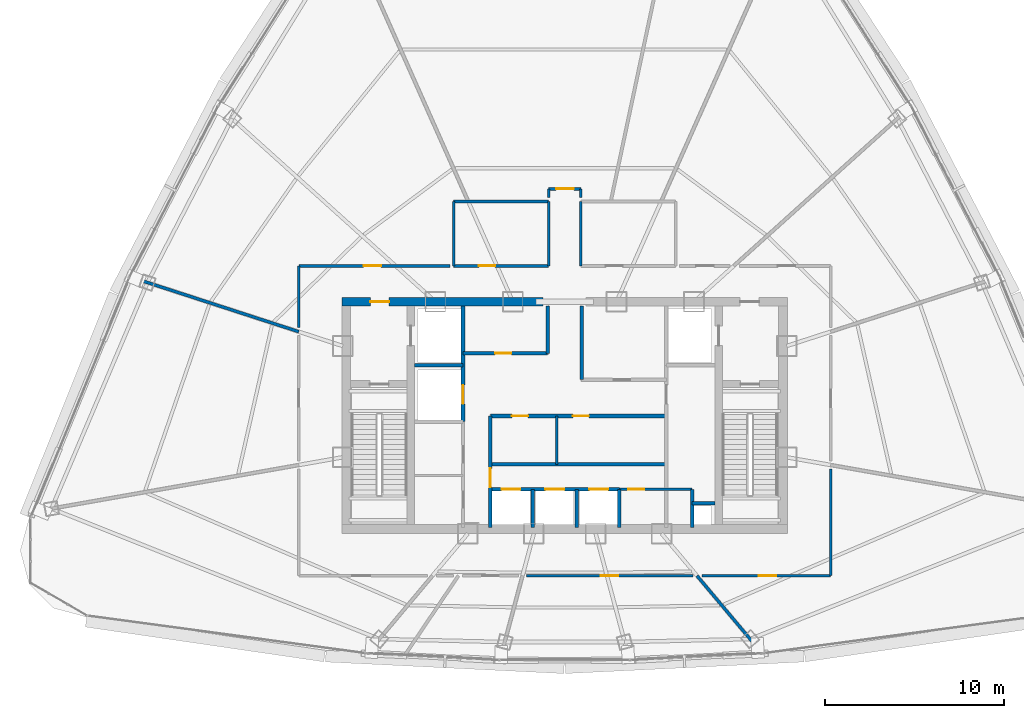
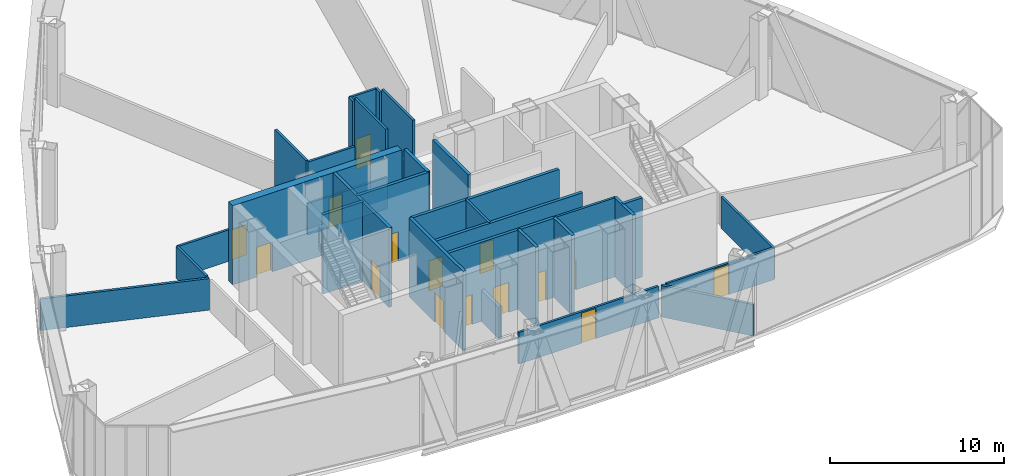
# One storey, part 29 of 33: 32 walls, 15 doors, 15 openings.
"""IFC4 building model written with IfcOpenShell, lengths in metres."""

from ifc_helpers import new_model, si_unit, direction, frame, frame_2d, origin, origin_with_axes, place, context, subcontext, project, spatial, rectangle, extrude, source, transform, mapped, material, layer, layer_set, type_object, element, fill, save


model = new_model("IFC4")

# Units and contexts
model_context = context("Model", 3, precision=1e-05, world=origin(), true_north=direction((0.0, 1.0)))
body_context = subcontext(model_context, "Body", "Model", "MODEL_VIEW")
ifc_project = project(units=[si_unit("LENGTHUNIT", "METRE"), si_unit("AREAUNIT", "SQUARE_METRE"), si_unit("VOLUMEUNIT", "CUBIC_METRE"), si_unit("PLANEANGLEUNIT", "RADIAN"), si_unit("MASSUNIT", "GRAM", prefix="KILO"), si_unit("THERMODYNAMICTEMPERATUREUNIT", "KELVIN"), si_unit("POWERUNIT", "WATT")], contexts=[model_context])

# Site, building, storey
site_placement = place(None, origin())
site = spatial("IfcSite", under=ifc_project, at=site_placement, CompositionType="ELEMENT")
building_placement = place(site_placement, origin())
building = spatial("IfcBuilding", under=site, at=building_placement, Name="Yunzhuo Pagoda Commons", CompositionType="ELEMENT")
storey_placement = place(building_placement, frame((0.0, 0.0, 314.860107421875)))
storey = spatial("IfcBuildingStorey", under=building, at=storey_placement, Name="L79", CompositionType="ELEMENT", Elevation=314.860107421875)

# Wall, opening, door
ifc_material_1 = material(Name="Concrete C50", Category="concrete")
ifc_layer_1 = layer(ifc_material_1, 0.5)
ifc_layer_set_1 = layer_set([ifc_layer_1], Name="Concrete C50")
wall_type_1 = type_object("IfcWallType", Name="W-C03 Upper Core Shear Wall 500", PredefinedType="SHEAR", material=ifc_layer_set_1)
wall_1_placement = place(storey_placement, frame((35.550048828125, 40.199951171875, 0.0), z_axis=(0.0, 0.0, 1.0), x_axis=(1.0, 0.0, 0.0)))
wall_1 = element("IfcWall", 1, at=wall_1_placement, inside=storey, type_object=wall_type_1, Name="L79 core shear wall NW", PredefinedType="SHEAR", context=body_context, shape_type="SweptSolid", body=[
    extrude(rectangle(XDim=11.25, YDim=0.5, at=frame_2d((5.625, 0.0))), origin(), (0.0, 0.0, 1.0), 5.56982421875),
])
opening_1_placement = place(wall_1_placement, frame((1.60009765625, 0.0, 0.0)))
opening_1 = element("IfcOpeningElement", 2, at=opening_1_placement, cuts=wall_1, Name="Opening D-02", PredefinedType="OPENING", context=body_context, shape_type="SweptSolid", body=[
    extrude(rectangle(XDim=1.050048828125, YDim=2.10009765625, at=frame_2d((0.52490234375, 1.050048828125))), frame((0.0, 0.260009765625, 0.0), z_axis=(0.0, -1.0, 0.0), x_axis=(1.0, 0.0, 0.0)), (0.0, 0.0, 1.0), 0.52001953125),
])
ifc_material_2 = material(Name="Galvanized fire-resisting metal leaf")
door_type_1 = type_object("IfcDoorType", Name="D-02 Firefighting Lobby & Refuge Fire Door 1050x2100", OperationType="NOTDEFINED", PredefinedType="DOOR", material=ifc_material_2)
shared_shape_1 = source(origin(), body_context, "Body", "SweptSolid", [
    extrude(rectangle(XDim=1.050048828125, YDim=2.10009765625, at=frame_2d((0.52490234375, 1.050048828125))), frame((0.0, 0.02490234375, 0.0), z_axis=(0.0, -1.0, 0.0), x_axis=(1.0, 0.0, 0.0)), (0.0, 0.0, 1.0), 0.050048828125),
])
door_1_placement = place(opening_1_placement, frame((1.050048828125, 0.0, 0.0), z_axis=(0.0, 0.0, 1.0), x_axis=(-1.0, 0.0, 0.0)))
door_1 = element("IfcDoor", 3, at=door_1_placement, inside=storey, type_object=door_type_1, Name="L79 Firefighting Lobby 1 fire door", OperationType="SINGLE_SWING_LEFT", OverallHeight=2.10009765625, OverallWidth=1.050048828125, PredefinedType="DOOR", context=body_context, shape_type="MappedRepresentation", body=[
    mapped(shared_shape_1, transform((0.0, 0.0, 0.0), scale=1.0)),
])
fill(opening_1, door_1)

# Wall
ifc_material_3 = material(Name="Gypsum plasterboard on acoustic stud")
ifc_layer_2 = layer(ifc_material_3, 0.14990234375)
ifc_layer_set_2 = layer_set([ifc_layer_2], Name="Gypsum plasterboard on acoustic stud")
wall_type_2 = type_object("IfcWallType", Name="W-COR3 High-Zone Rated Corridor Wall 150", PredefinedType="PARTITIONING", material=ifc_layer_set_2)
wall_2_placement = place(storey_placement, frame((47.550048828125, 31.1201171875, 0.0), z_axis=(0.0, 0.0, 1.0), x_axis=(0.0, 1.0, 0.0)))
element("IfcWall", 4, at=wall_2_placement, inside=storey, type_object=wall_type_2, Name="L79 interior wall IW-L79-FRMD", PredefinedType="PARTITIONING", context=body_context, shape_type="SweptSolid", body=[
    extrude(rectangle(XDim=2.699951171875, YDim=0.14990234375, at=frame_2d((1.35009765625, 0.0))), origin(), (0.0, 0.0, 1.0), 5.56982421875),
])

# Wall, opening, door
wall_3_placement = place(storey_placement, frame((51.050048828125, 29.719970703125, 0.0), z_axis=(0.0, 0.0, 1.0), x_axis=(1.0, 0.0, 0.0)))
wall_3 = element("IfcWall", 5, at=wall_3_placement, inside=storey, type_object=wall_type_2, Name="L79 interior wall IW-L79-CSES", PredefinedType="PARTITIONING", context=body_context, shape_type="SweptSolid", body=[
    extrude(rectangle(XDim=4.070068359375, YDim=0.14990234375, at=frame_2d((2.03515625, 0.0))), origin(), (0.0, 0.0, 1.0), 5.56982421875),
])
opening_2_placement = place(wall_3_placement, frame((0.5, 0.0, 0.0)))
opening_2 = element("IfcOpeningElement", 6, at=opening_2_placement, cuts=wall_3, Name="Opening D-03", PredefinedType="OPENING", context=body_context, shape_type="SweptSolid", body=[
    extrude(rectangle(XDim=0.89990234375, YDim=2.10009765625, at=frame_2d((0.449951171875, 1.050048828125))), frame((0.0, 0.0849609375, 0.0), z_axis=(0.0, -1.0, 0.0), x_axis=(1.0, 0.0, 0.0)), (0.0, 0.0, 1.0), 0.169921875),
])
door_type_2 = type_object("IfcDoorType", Name="D-03 Core Service Fire Door 900x2100", OperationType="NOTDEFINED", PredefinedType="DOOR", material=ifc_material_2)
shared_shape_2 = source(origin(), body_context, "Body", "SweptSolid", [
    extrude(rectangle(XDim=0.89990234375, YDim=2.10009765625, at=frame_2d((0.449951171875, 1.050048828125))), frame((0.0, 0.02490234375, 0.0), z_axis=(0.0, -1.0, 0.0), x_axis=(1.0, 0.0, 0.0)), (0.0, 0.0, 1.0), 0.050048828125),
])
door_2_placement = place(opening_2_placement, origin_with_axes())
door_2 = element("IfcDoor", 7, at=door_2_placement, inside=storey, type_object=door_type_2, Name="L79 IT closet door", OperationType="SINGLE_SWING_LEFT", OverallHeight=2.10009765625, OverallWidth=0.89990234375, PredefinedType="DOOR", context=body_context, shape_type="MappedRepresentation", body=[
    mapped(shared_shape_2, transform((0.0, 0.0, 0.0), scale=1.0)),
])
fill(opening_2, door_2)

wall_4_placement = place(storey_placement, frame((41.800048828125, 42.199951171875, 0.0), z_axis=(0.0, 0.0, 1.0), x_axis=(1.0, 0.0, 0.0)))
wall_4 = element("IfcWall", 8, at=wall_4_placement, inside=storey, type_object=wall_type_2, Name="L79 interior wall IW-L79-TFWS", PredefinedType="PARTITIONING", context=body_context, shape_type="SweptSolid", body=[
    extrude(rectangle(XDim=5.300048828125, YDim=0.14990234375, at=frame_2d((2.64990234375, 0.0))), origin(), (0.0, 0.0, 1.0), 2.219970703125),
])
opening_3_placement = place(wall_4_placement, frame((1.39990234375, 0.0, 0.0)))
opening_3 = element("IfcOpeningElement", 9, at=opening_3_placement, cuts=wall_4, Name="Opening D-04", PredefinedType="OPENING", context=body_context, shape_type="SweptSolid", body=[
    extrude(rectangle(XDim=0.919921875, YDim=2.10009765625, at=frame_2d((0.4599609375, 1.050048828125))), frame((0.0, 0.0849609375, 0.0), z_axis=(0.0, -1.0, 0.0), x_axis=(1.0, 0.0, 0.0)), (0.0, 0.0, 1.0), 0.169921875),
])
ifc_material_4 = material(Name="Powder-coated aluminium and timber acoustic leaf", Category="wood")
door_type_3 = type_object("IfcDoorType", Name="D-04 Bedroom & Study Interior Door 920x2100", OperationType="NOTDEFINED", PredefinedType="DOOR", material=ifc_material_4)
shared_shape_3 = source(origin(), body_context, "Body", "SweptSolid", [
    extrude(rectangle(XDim=0.919921875, YDim=2.10009765625, at=frame_2d((0.4599609375, 1.050048828125))), frame((0.0, 0.02490234375, 0.0), z_axis=(0.0, -1.0, 0.0), x_axis=(1.0, 0.0, 0.0)), (0.0, 0.0, 1.0), 0.050048828125),
])
door_3_placement = place(opening_3_placement, frame((0.919921875, 0.0, 0.0), z_axis=(0.0, 0.0, 1.0), x_axis=(-1.0, 0.0, 0.0)))
door_3 = element("IfcDoor", 10, at=door_3_placement, inside=storey, type_object=door_type_3, Name="L79 laundry door", OperationType="SINGLE_SWING_LEFT", OverallHeight=2.10009765625, OverallWidth=0.919921875, PredefinedType="DOOR", context=body_context, shape_type="MappedRepresentation", body=[
    mapped(shared_shape_3, transform((0.0, 0.0, 0.0), scale=1.0)),
])
fill(opening_3, door_3)

# Walls
wall_5_placement = place(storey_placement, frame((41.800048828125, 45.800048828125, 0.0), z_axis=(0.0, 0.0, 1.0), x_axis=(1.0, 0.0, 0.0)))
element("IfcWall", 11, at=wall_5_placement, inside=storey, type_object=wall_type_2, Name="L79 interior wall IW-L79-TFWN", PredefinedType="PARTITIONING", context=body_context, shape_type="SweptSolid", body=[
    extrude(rectangle(XDim=5.300048828125, YDim=0.14990234375, at=frame_2d((2.64990234375, 0.0))), origin(), (0.0, 0.0, 1.0), 2.219970703125),
])
wall_6_placement = place(storey_placement, frame((41.800048828125, 42.199951171875, 0.0), z_axis=(0.0, 0.0, 1.0), x_axis=(0.0, 1.0, 0.0)))
element("IfcWall", 12, at=wall_6_placement, inside=storey, type_object=wall_type_2, Name="L79 interior wall IW-L79-TFWW", PredefinedType="PARTITIONING", context=body_context, shape_type="SweptSolid", body=[
    extrude(rectangle(XDim=3.60009765625, YDim=0.14990234375, at=frame_2d((1.800048828125, 0.0))), origin(), (0.0, 0.0, 1.0), 5.219970703125),
])
for number, where, z_axis, x_axis, name in (
    (13, (47.10009765625, 42.199951171875, 0.0), (0.0, 0.0, 1.0), (0.0, 1.0, 0.0), "L79 interior wall IW-L79-TFWE"),
    (14, (48.89990234375, 42.199951171875, 0.0), (0.0, 0.0, 1.0), (0.0, 1.0, 0.0), "L79 interior wall IW-L79-TFEW"),
):
    element("IfcWall", number, at=place(storey_placement, frame(where, z_axis=z_axis, x_axis=x_axis)), inside=storey, type_object=wall_type_2, Name=name, PredefinedType="PARTITIONING", context=body_context, shape_type="SweptSolid", body=[
        extrude(rectangle(XDim=3.60009765625, YDim=0.14990234375, at=frame_2d((1.800048828125, 0.0))), origin(), (0.0, 0.0, 1.0), 5.56982421875),
    ])
wall_7_placement = place(storey_placement, frame((33.14990234375, 38.75634765625, 0.0), z_axis=(0.0, 0.0, 1.0), x_axis=(0.0, 1.0, 0.0)))
element("IfcWall", 15, at=wall_7_placement, inside=storey, type_object=wall_type_2, Name="L79 interior wall IW-L79-CWL03", PredefinedType="PARTITIONING", context=body_context, shape_type="SweptSolid", body=[
    extrude(rectangle(XDim=3.443603515625, YDim=0.14990234375, at=frame_2d((1.7216796875, 0.0))), origin(), (0.0, 0.0, 1.0), 2.219970703125),
])

# Wall, opening, door
wall_8_placement = place(storey_placement, frame((33.14990234375, 42.199951171875, 0.0), z_axis=(0.0, 0.0, 1.0), x_axis=(1.0, 0.0, 0.0)))
wall_8 = element("IfcWall", 16, at=wall_8_placement, inside=storey, type_object=wall_type_2, Name="L79 interior wall IW-L79-CWL04", PredefinedType="PARTITIONING", context=body_context, shape_type="SweptSolid", body=[
    extrude(rectangle(XDim=8.43017578125, YDim=0.14990234375, at=frame_2d((4.215087890625, 0.0))), origin(), (0.0, 0.0, 1.0), 2.219970703125),
])
opening_4_placement = place(wall_8_placement, frame((3.6201171875, 0.0, 0.0)))
opening_4 = element("IfcOpeningElement", 17, at=opening_4_placement, cuts=wall_8, Name="Opening D-08", PredefinedType="OPENING", context=body_context, shape_type="SweptSolid", body=[
    extrude(rectangle(XDim=0.97998046875, YDim=2.1201171875, at=frame_2d((0.489990234375, 1.06005859375))), frame((0.0, 0.0849609375, 0.0), z_axis=(0.0, -1.0, 0.0), x_axis=(1.0, 0.0, 0.0)), (0.0, 0.0, 1.0), 0.169921875),
])
door_type_4 = type_object("IfcDoorType", Name="D-08 High-Zone Suite Entrance Fire Door 980x2120", OperationType="NOTDEFINED", PredefinedType="DOOR", material=ifc_material_2)
shared_shape_4 = source(origin(), body_context, "Body", "SweptSolid", [
    extrude(rectangle(XDim=0.97998046875, YDim=2.1201171875, at=frame_2d((0.489990234375, 1.06005859375))), frame((0.0, 0.02490234375, 0.0), z_axis=(0.0, -1.0, 0.0), x_axis=(1.0, 0.0, 0.0)), (0.0, 0.0, 1.0), 0.050048828125),
])
door_4_placement = place(opening_4_placement, origin_with_axes())
door_4 = element("IfcDoor", 18, at=door_4_placement, inside=storey, type_object=door_type_4, Name="L79 Shared Resident Kitchen and Pantry door", OperationType="SINGLE_SWING_LEFT", OverallHeight=2.1201171875, OverallWidth=0.97998046875, PredefinedType="DOOR", context=body_context, shape_type="MappedRepresentation", body=[
    mapped(shared_shape_4, transform((0.0, 0.0, 0.0), scale=1.0)),
])
fill(opening_4, door_4)

# Wall
wall_9_placement = place(storey_placement, frame((47.10009765625, 46.02001953125, 0.0), z_axis=(0.0, 0.0, 1.0), x_axis=(0.0, 1.0, 0.0)))
element("IfcWall", 19, at=wall_9_placement, inside=storey, type_object=wall_type_2, Name="L79 interior wall IW-L79-CWL05", PredefinedType="PARTITIONING", context=body_context, shape_type="SweptSolid", body=[
    extrude(rectangle(XDim=0.47998046875, YDim=0.14990234375, at=frame_2d((0.239990234375, 0.0))), origin(), (0.0, 0.0, 1.0), 5.219970703125),
])

# Wall, opening, door
wall_10_placement = place(storey_placement, frame((47.10009765625, 46.5, 0.0), z_axis=(0.0, 0.0, 1.0), x_axis=(1.0, 0.0, 0.0)))
wall_10 = element("IfcWall", 20, at=wall_10_placement, inside=storey, type_object=wall_type_2, Name="L79 interior wall IW-L79-CWL06", PredefinedType="PARTITIONING", context=body_context, shape_type="SweptSolid", body=[
    extrude(rectangle(XDim=1.7998046875, YDim=0.14990234375, at=frame_2d((0.89990234375, 0.0))), origin(), (0.0, 0.0, 1.0), 5.219970703125),
])
opening_5_placement = place(wall_10_placement, frame((0.425048828125, 0.0, 0.0)))
opening_5 = element("IfcOpeningElement", 21, at=opening_5_placement, cuts=wall_10, Name="Opening D-08", PredefinedType="OPENING", context=body_context, shape_type="SweptSolid", body=[
    extrude(rectangle(XDim=0.97998046875, YDim=2.1201171875, at=frame_2d((0.489990234375, 1.06005859375))), frame((0.0, 0.0849609375, 0.0), z_axis=(0.0, -1.0, 0.0), x_axis=(1.0, 0.0, 0.0)), (0.0, 0.0, 1.0), 0.169921875),
])
door_5_placement = place(opening_5_placement, origin_with_axes())
door_5 = element("IfcDoor", 22, at=door_5_placement, inside=storey, type_object=door_type_4, Name="L79 unit 05 entrance door", OperationType="SINGLE_SWING_RIGHT", OverallHeight=2.1201171875, OverallWidth=0.97998046875, PredefinedType="DOOR", context=body_context, shape_type="MappedRepresentation", body=[
    mapped(shared_shape_4, transform((0.0, 0.0, 0.0), scale=1.0)),
])
fill(opening_5, door_5)

# Walls
wall_11_placement = place(storey_placement, frame((48.89990234375, 46.5, 0.0), z_axis=(0.0, 0.0, 1.0), x_axis=(0.0, -1.0, 0.0)))
element("IfcWall", 23, at=wall_11_placement, inside=storey, type_object=wall_type_2, Name="L79 interior wall IW-L79-CWL07", PredefinedType="PARTITIONING", context=body_context, shape_type="SweptSolid", body=[
    extrude(rectangle(XDim=0.47998046875, YDim=0.14990234375, at=frame_2d((0.239990234375, 0.0))), origin(), (0.0, 0.0, 1.0), 5.219970703125),
])
wall_12_placement = place(storey_placement, frame((62.85009765625, 30.858154296875, 0.0), z_axis=(0.0, 0.0, 1.0), x_axis=(0.0, -1.0, 0.0)))
element("IfcWall", 24, at=wall_12_placement, inside=storey, type_object=wall_type_2, Name="L79 interior wall IW-L79-CWL12", PredefinedType="PARTITIONING", context=body_context, shape_type="SweptSolid", body=[
    extrude(rectangle(XDim=5.958251953125, YDim=0.14990234375, at=frame_2d((2.97900390625, 0.0))), origin(), (0.0, 0.0, 1.0), 2.219970703125),
])

# Wall, opening, door
wall_13_placement = place(storey_placement, frame((62.85009765625, 24.89990234375, 0.0), z_axis=(0.0, 0.0, 1.0), x_axis=(-1.0, 0.0, 0.0)))
wall_13 = element("IfcWall", 25, at=wall_13_placement, inside=storey, type_object=wall_type_2, Name="L79 interior wall IW-L79-CWL13", PredefinedType="PARTITIONING", context=body_context, shape_type="SweptSolid", body=[
    extrude(rectangle(XDim=7.1787109375, YDim=0.14990234375, at=frame_2d((3.58935546875, 0.0))), origin(), (0.0, 0.0, 1.0), 2.219970703125),
])
opening_6_placement = place(wall_13_placement, frame((3.028076171875, 0.0, 0.0)))
opening_6 = element("IfcOpeningElement", 26, at=opening_6_placement, cuts=wall_13, Name="Opening D-08", PredefinedType="OPENING", context=body_context, shape_type="SweptSolid", body=[
    extrude(rectangle(XDim=0.97998046875, YDim=2.1201171875, at=frame_2d((0.489990234375, 1.06005859375))), frame((0.0, 0.0849609375, 0.0), z_axis=(0.0, -1.0, 0.0), x_axis=(1.0, 0.0, 0.0)), (0.0, 0.0, 1.0), 0.169921875),
])
door_6_placement = place(opening_6_placement, origin_with_axes())
door_6 = element("IfcDoor", 27, at=door_6_placement, inside=storey, type_object=door_type_4, Name="L79 unit 12 entrance door", OperationType="SINGLE_SWING_LEFT", OverallHeight=2.1201171875, OverallWidth=0.97998046875, PredefinedType="DOOR", context=body_context, shape_type="MappedRepresentation", body=[
    mapped(shared_shape_4, transform((0.0, 0.0, 0.0), scale=1.0)),
])
fill(opening_6, door_6)

wall_14_placement = place(storey_placement, frame((55.164306640625, 24.89990234375, 0.0), z_axis=(0.0, 0.0, 1.0), x_axis=(-1.0, 0.0, 0.0)))
wall_14 = element("IfcWall", 28, at=wall_14_placement, inside=storey, type_object=wall_type_2, Name="L79 interior wall IW-L79-CWL14", PredefinedType="PARTITIONING", context=body_context, shape_type="SweptSolid", body=[
    extrude(rectangle(XDim=9.302490234375, YDim=0.14990234375, at=frame_2d((4.6513671875, 0.0))), origin(), (0.0, 0.0, 1.0), 2.219970703125),
])
opening_7_placement = place(wall_14_placement, frame((4.17626953125, 0.0, 0.0)))
opening_7 = element("IfcOpeningElement", 29, at=opening_7_placement, cuts=wall_14, Name="Opening D-08", PredefinedType="OPENING", context=body_context, shape_type="SweptSolid", body=[
    extrude(rectangle(XDim=0.97998046875, YDim=2.1201171875, at=frame_2d((0.489990234375, 1.06005859375))), frame((0.0, 0.0849609375, 0.0), z_axis=(0.0, -1.0, 0.0), x_axis=(1.0, 0.0, 0.0)), (0.0, 0.0, 1.0), 0.169921875),
])
door_7_placement = place(opening_7_placement, origin_with_axes())
door_7 = element("IfcDoor", 30, at=door_7_placement, inside=storey, type_object=door_type_4, Name="L79 Resident Co-Living Commons Hall door", OperationType="SINGLE_SWING_RIGHT", OverallHeight=2.1201171875, OverallWidth=0.97998046875, PredefinedType="DOOR", context=body_context, shape_type="MappedRepresentation", body=[
    mapped(shared_shape_4, transform((0.0, 0.0, 0.0), scale=1.0)),
])
fill(opening_7, door_7)

# Walls
ifc_layer_3 = layer(ifc_material_3, 0.169921875)
ifc_layer_set_3 = layer_set([ifc_layer_3], Name="Gypsum plasterboard on acoustic stud")
wall_type_3 = type_object("IfcWallType", Name="W-PRT4 High-Zone Demising Wall 170", PredefinedType="PARTITIONING", material=ifc_layer_set_3)
wall_15_placement = place(storey_placement, frame((33.14990234375, 38.525146484375, 0.0), z_axis=(0.0, 0.0, 1.0), x_axis=(-0.951056273407, 0.309017741906, 0.0)))
element("IfcWall", 31, at=wall_15_placement, inside=storey, type_object=wall_type_3, Name="L79 interior wall IW-L79-RAD06", PredefinedType="PARTITIONING", context=body_context, shape_type="SweptSolid", body=[
    extrude(rectangle(XDim=9.937255859375, YDim=0.169921875, at=frame_2d((4.96875, 0.0))), origin(), (0.0, 0.0, 1.0), 2.219970703125),
])
wall_16_placement = place(storey_placement, frame((55.384033203125, 24.89990234375, 0.0), z_axis=(0.0, 0.0, 1.0), x_axis=(0.642790029712, -0.76604241247, 0.0)))
element("IfcWall", 32, at=wall_16_placement, inside=storey, type_object=wall_type_3, Name="L79 interior wall IW-L79-RAD11", PredefinedType="PARTITIONING", context=body_context, shape_type="SweptSolid", body=[
    extrude(rectangle(XDim=5.669189453125, YDim=0.169921875, at=frame_2d((2.83447265625, 0.0))), origin(), (0.0, 0.0, 1.0), 2.219970703125),
])

# Wall, opening, door
ifc_material_5 = material(Name="Concrete C40", Category="concrete")
ifc_layer_4 = layer(ifc_material_5, 0.199951171875)
ifc_layer_set_4 = layer_set([ifc_layer_4], Name="Concrete C40")
wall_type_4 = type_object("IfcWallType", Name="W-SHF Shaft & Stair Enclosure Wall 200", PredefinedType="SOLIDWALL", material=ifc_layer_set_4)
wall_17_placement = place(storey_placement, frame((42.320068359375, 33.5, 0.0), z_axis=(0.0, 0.0, 1.0), x_axis=(0.0, 1.0, 0.0)))
wall_17 = element("IfcWall", 33, at=wall_17_placement, inside=storey, type_object=wall_type_4, Name="L79 interior wall IW-L79-FL1E", PredefinedType="SOLIDWALL", context=body_context, shape_type="SweptSolid", body=[
    extrude(rectangle(XDim=6.449951171875, YDim=0.199951171875, at=frame_2d((3.22509765625, 0.0))), origin(), (0.0, 0.0, 1.0), 5.56982421875),
])
opening_8_placement = place(wall_17_placement, frame((1.0, 0.0, 0.0)))
opening_8 = element("IfcOpeningElement", 34, at=opening_8_placement, cuts=wall_17, Name="Opening LD-02", PredefinedType="OPENING", context=body_context, shape_type="SweptSolid", body=[
    extrude(rectangle(XDim=1.050048828125, YDim=2.10009765625, at=frame_2d((0.52490234375, 1.050048828125))), frame((0.0, 0.10986328125, 0.0), z_axis=(0.0, -1.0, 0.0), x_axis=(1.0, 0.0, 0.0)), (0.0, 0.0, 1.0), 0.219970703125),
])
door_type_5 = type_object("IfcDoorType", Name="LD-02 Passenger Lift Landing Door 1050x2100", OperationType="DOUBLE_DOOR_SLIDING", PredefinedType="DOOR", material=ifc_material_2)
door_8_placement = place(opening_8_placement, origin_with_axes())
door_8 = element("IfcDoor", 35, at=door_8_placement, inside=storey, type_object=door_type_5, Name="L79 Service lift SL-1 landing door", OperationType="DOUBLE_DOOR_SLIDING", OverallHeight=2.10009765625, OverallWidth=1.050048828125, PredefinedType="DOOR", context=body_context, shape_type="MappedRepresentation", body=[
    mapped(shared_shape_1, transform((0.0, 0.0, 0.0), scale=1.0)),
])
fill(opening_8, door_8)

# Wall
wall_18_placement = place(storey_placement, frame((39.60009765625, 36.64990234375, 0.0), z_axis=(0.0, 0.0, 1.0), x_axis=(1.0, 0.0, 0.0)))
element("IfcWall", 36, at=wall_18_placement, inside=storey, type_object=wall_type_4, Name="L79 interior wall IW-L79-FL1S", PredefinedType="SOLIDWALL", context=body_context, shape_type="SweptSolid", body=[
    extrude(rectangle(XDim=2.719970703125, YDim=0.199951171875, at=frame_2d((1.35986328125, 0.0))), origin(), (0.0, 0.0, 1.0), 5.56982421875),
])

# Wall, opening, door
wall_19_placement = place(storey_placement, frame((42.320068359375, 37.320068359375, 0.0), z_axis=(0.0, 0.0, 1.0), x_axis=(1.0, 0.0, 0.0)))
wall_19 = element("IfcWall", 37, at=wall_19_placement, inside=storey, type_object=wall_type_4, Name="L79 interior wall IW-L79-LBNW", PredefinedType="SOLIDWALL", context=body_context, shape_type="SweptSolid", body=[
    extrude(rectangle(XDim=4.72998046875, YDim=0.199951171875, at=frame_2d((2.364990234375, 0.0))), origin(), (0.0, 0.0, 1.0), 5.56982421875),
])
opening_9_placement = place(wall_19_placement, frame((1.800048828125, 0.0, 0.0)))
opening_9 = element("IfcOpeningElement", 38, at=opening_9_placement, cuts=wall_19, Name="Opening D-03", PredefinedType="OPENING", context=body_context, shape_type="SweptSolid", body=[
    extrude(rectangle(XDim=0.89990234375, YDim=2.10009765625, at=frame_2d((0.449951171875, 1.050048828125))), frame((0.0, 0.10986328125, 0.0), z_axis=(0.0, -1.0, 0.0), x_axis=(1.0, 0.0, 0.0)), (0.0, 0.0, 1.0), 0.219970703125),
])
door_9_placement = place(opening_9_placement, frame((0.89990234375, 0.0, 0.0), z_axis=(0.0, 0.0, 1.0), x_axis=(-1.0, 0.0, 0.0)))
door_9 = element("IfcDoor", 39, at=door_9_placement, inside=storey, type_object=door_type_2, Name="L79 core west store door", OperationType="SINGLE_SWING_LEFT", OverallHeight=2.10009765625, OverallWidth=0.89990234375, PredefinedType="DOOR", context=body_context, shape_type="MappedRepresentation", body=[
    mapped(shared_shape_2, transform((0.0, 0.0, 0.0), scale=1.0)),
])
fill(opening_9, door_9)

# Walls
wall_20_placement = place(storey_placement, frame((47.050048828125, 37.320068359375, 0.0), z_axis=(0.0, 0.0, 1.0), x_axis=(0.0, 1.0, 0.0)))
element("IfcWall", 40, at=wall_20_placement, inside=storey, type_object=wall_type_4, Name="L79 interior wall IW-L79-THRW", PredefinedType="SOLIDWALL", context=body_context, shape_type="SweptSolid", body=[
    extrude(rectangle(XDim=2.6298828125, YDim=0.199951171875, at=frame_2d((1.31494140625, 0.0))), origin(), (0.0, 0.0, 1.0), 5.56982421875),
])
wall_21_placement = place(storey_placement, frame((48.949951171875, 35.85009765625, 0.0), z_axis=(0.0, 0.0, 1.0), x_axis=(0.0, 1.0, 0.0)))
element("IfcWall", 41, at=wall_21_placement, inside=storey, type_object=wall_type_4, Name="L79 interior wall IW-L79-THRE", PredefinedType="SOLIDWALL", context=body_context, shape_type="SweptSolid", body=[
    extrude(rectangle(XDim=4.099853515625, YDim=0.199951171875, at=frame_2d((2.0498046875, 0.0))), origin(), (0.0, 0.0, 1.0), 5.56982421875),
])

# Wall, openings, doors
wall_22_placement = place(storey_placement, frame((43.85009765625, 33.820068359375, 0.0), z_axis=(0.0, 0.0, 1.0), x_axis=(1.0, 0.0, 0.0)))
wall_22 = element("IfcWall", 42, at=wall_22_placement, inside=storey, type_object=wall_type_4, Name="L79 interior wall IW-L79-MLBS", PredefinedType="SOLIDWALL", context=body_context, shape_type="SweptSolid", body=[
    extrude(rectangle(XDim=9.829833984375, YDim=0.199951171875, at=frame_2d((4.9150390625, 0.0))), origin(), (0.0, 0.0, 1.0), 5.56982421875),
])
opening_10_placement = place(wall_22_placement, frame((1.199951171875, 0.0, 0.0)))
opening_10 = element("IfcOpeningElement", 43, at=opening_10_placement, cuts=wall_22, Name="Opening D-03", PredefinedType="OPENING", context=body_context, shape_type="SweptSolid", body=[
    extrude(rectangle(XDim=0.89990234375, YDim=2.10009765625, at=frame_2d((0.449951171875, 1.050048828125))), frame((0.0, 0.10986328125, 0.0), z_axis=(0.0, -1.0, 0.0), x_axis=(1.0, 0.0, 0.0)), (0.0, 0.0, 1.0), 0.219970703125),
])
opening_11_placement = place(wall_22_placement, frame((4.60009765625, 0.0, 0.0)))
opening_11 = element("IfcOpeningElement", 44, at=opening_11_placement, cuts=wall_22, Name="Opening D-03", PredefinedType="OPENING", context=body_context, shape_type="SweptSolid", body=[
    extrude(rectangle(XDim=0.89990234375, YDim=2.10009765625, at=frame_2d((0.449951171875, 1.050048828125))), frame((0.0, 0.10986328125, 0.0), z_axis=(0.0, -1.0, 0.0), x_axis=(1.0, 0.0, 0.0)), (0.0, 0.0, 1.0), 0.219970703125),
])
door_10_placement = place(opening_10_placement, origin_with_axes())
door_10 = element("IfcDoor", 45, at=door_10_placement, inside=storey, type_object=door_type_2, Name="L79 core mid-west store door", OperationType="SINGLE_SWING_LEFT", OverallHeight=2.10009765625, OverallWidth=0.89990234375, PredefinedType="DOOR", context=body_context, shape_type="MappedRepresentation", body=[
    mapped(shared_shape_2, transform((0.0, 0.0, 0.0), scale=1.0)),
])
fill(opening_10, door_10)
door_11_placement = place(opening_11_placement, origin_with_axes())
door_11 = element("IfcDoor", 46, at=door_11_placement, inside=storey, type_object=door_type_2, Name="L79 core mid-east store door", OperationType="SINGLE_SWING_RIGHT", OverallHeight=2.10009765625, OverallWidth=0.89990234375, PredefinedType="DOOR", context=body_context, shape_type="MappedRepresentation", body=[
    mapped(shared_shape_2, transform((0.0, 0.0, 0.0), scale=1.0)),
])
fill(opening_11, door_11)

# Wall, opening, door
wall_23_placement = place(storey_placement, frame((43.85009765625, 27.60009765625, 0.0), z_axis=(0.0, 0.0, 1.0), x_axis=(0.0, 1.0, 0.0)))
wall_23 = element("IfcWall", 47, at=wall_23_placement, inside=storey, type_object=wall_type_4, Name="L79 interior wall IW-L79-PLMW", PredefinedType="SOLIDWALL", context=body_context, shape_type="SweptSolid", body=[
    extrude(rectangle(XDim=6.219970703125, YDim=0.199951171875, at=frame_2d((3.10986328125, 0.0))), origin(), (0.0, 0.0, 1.0), 5.56982421875),
])
opening_12_placement = place(wall_23_placement, frame((2.25, 0.0, 0.0)))
opening_12 = element("IfcOpeningElement", 48, at=opening_12_placement, cuts=wall_23, Name="Opening D-02", PredefinedType="OPENING", context=body_context, shape_type="SweptSolid", body=[
    extrude(rectangle(XDim=1.050048828125, YDim=2.10009765625, at=frame_2d((0.52490234375, 1.050048828125))), frame((0.0, 0.10986328125, 0.0), z_axis=(0.0, -1.0, 0.0), x_axis=(1.0, 0.0, 0.0)), (0.0, 0.0, 1.0), 0.219970703125),
])
door_12_placement = place(opening_12_placement, frame((1.050048828125, 0.0, 0.0), z_axis=(0.0, 0.0, 1.0), x_axis=(-1.0, 0.0, 0.0)))
door_12 = element("IfcDoor", 49, at=door_12_placement, inside=storey, type_object=door_type_1, Name="L79 High-bank hall west door", OperationType="SINGLE_SWING_LEFT", OverallHeight=2.10009765625, OverallWidth=1.050048828125, PredefinedType="DOOR", context=body_context, shape_type="MappedRepresentation", body=[
    mapped(shared_shape_1, transform((0.0, 0.0, 0.0), scale=1.0)),
])
fill(opening_12, door_12)

# Wall, openings, doors
wall_24_placement = place(storey_placement, frame((43.85009765625, 29.719970703125, 0.0), z_axis=(0.0, 0.0, 1.0), x_axis=(1.0, 0.0, 0.0)))
wall_24 = element("IfcWall", 50, at=wall_24_placement, inside=storey, type_object=wall_type_4, Name="L79 interior wall IW-L79-PLHN", PredefinedType="SOLIDWALL", context=body_context, shape_type="SweptSolid", body=[
    extrude(rectangle(XDim=7.199951171875, YDim=0.199951171875, at=frame_2d((3.60009765625, 0.0))), origin(), (0.0, 0.0, 1.0), 5.56982421875),
])
opening_13_placement = place(wall_24_placement, frame((0.625, 0.0, 0.0)))
opening_13 = element("IfcOpeningElement", 51, at=opening_13_placement, cuts=wall_24, Name="Opening LD-02", PredefinedType="OPENING", context=body_context, shape_type="SweptSolid", body=[
    extrude(rectangle(XDim=1.050048828125, YDim=2.10009765625, at=frame_2d((0.52490234375, 1.050048828125))), frame((0.0, 0.10986328125, 0.0), z_axis=(0.0, -1.0, 0.0), x_axis=(1.0, 0.0, 0.0)), (0.0, 0.0, 1.0), 0.219970703125),
])
opening_14_placement = place(wall_24_placement, frame((3.074951171875, 0.0, 0.0)))
opening_14 = element("IfcOpeningElement", 52, at=opening_14_placement, cuts=wall_24, Name="Opening LD-02", PredefinedType="OPENING", context=body_context, shape_type="SweptSolid", body=[
    extrude(rectangle(XDim=1.050048828125, YDim=2.10009765625, at=frame_2d((0.52490234375, 1.050048828125))), frame((0.0, 0.10986328125, 0.0), z_axis=(0.0, -1.0, 0.0), x_axis=(1.0, 0.0, 0.0)), (0.0, 0.0, 1.0), 0.219970703125),
])
opening_15_placement = place(wall_24_placement, frame((5.52490234375, 0.0, 0.0)))
opening_15 = element("IfcOpeningElement", 53, at=opening_15_placement, cuts=wall_24, Name="Opening LD-02", PredefinedType="OPENING", context=body_context, shape_type="SweptSolid", body=[
    extrude(rectangle(XDim=1.050048828125, YDim=2.10009765625, at=frame_2d((0.52490234375, 1.050048828125))), frame((0.0, 0.10986328125, 0.0), z_axis=(0.0, -1.0, 0.0), x_axis=(1.0, 0.0, 0.0)), (0.0, 0.0, 1.0), 0.219970703125),
])
door_13_placement = place(opening_13_placement, origin_with_axes())
door_13 = element("IfcDoor", 54, at=door_13_placement, inside=storey, type_object=door_type_5, Name="L79 Passenger lift PL-H1 landing door", OperationType="DOUBLE_DOOR_SLIDING", OverallHeight=2.10009765625, OverallWidth=1.050048828125, PredefinedType="DOOR", context=body_context, shape_type="MappedRepresentation", body=[
    mapped(shared_shape_1, transform((0.0, 0.0, 0.0), scale=1.0)),
])
fill(opening_13, door_13)
door_14_placement = place(opening_14_placement, origin_with_axes())
door_14 = element("IfcDoor", 55, at=door_14_placement, inside=storey, type_object=door_type_5, Name="L79 Passenger lift PL-H2 landing door", OperationType="DOUBLE_DOOR_SLIDING", OverallHeight=2.10009765625, OverallWidth=1.050048828125, PredefinedType="DOOR", context=body_context, shape_type="MappedRepresentation", body=[
    mapped(shared_shape_1, transform((0.0, 0.0, 0.0), scale=1.0)),
])
fill(opening_14, door_14)
door_15_placement = place(opening_15_placement, origin_with_axes())
door_15 = element("IfcDoor", 56, at=door_15_placement, inside=storey, type_object=door_type_5, Name="L79 Passenger lift PL-H3 landing door", OperationType="DOUBLE_DOOR_SLIDING", OverallHeight=2.10009765625, OverallWidth=1.050048828125, PredefinedType="DOOR", context=body_context, shape_type="MappedRepresentation", body=[
    mapped(shared_shape_1, transform((0.0, 0.0, 0.0), scale=1.0)),
])
fill(opening_15, door_15)

# Walls
wall_25_placement = place(storey_placement, frame((51.050048828125, 27.60009765625, 0.0), z_axis=(0.0, 0.0, 1.0), x_axis=(0.0, 1.0, 0.0)))
element("IfcWall", 57, at=wall_25_placement, inside=storey, type_object=wall_type_4, Name="L79 interior wall IW-L79-PLHE", PredefinedType="SOLIDWALL", context=body_context, shape_type="SweptSolid", body=[
    extrude(rectangle(XDim=2.119873046875, YDim=0.199951171875, at=frame_2d((1.06005859375, 0.0))), origin(), (0.0, 0.0, 1.0), 5.56982421875),
])
wall_26_placement = place(storey_placement, frame((43.85009765625, 31.1201171875, 0.0), z_axis=(0.0, 0.0, 1.0), x_axis=(1.0, 0.0, 0.0)))
element("IfcWall", 58, at=wall_26_placement, inside=storey, type_object=wall_type_4, Name="L79 interior wall IW-L79-PLMS2", PredefinedType="SOLIDWALL", context=body_context, shape_type="SweptSolid", body=[
    extrude(rectangle(XDim=9.829833984375, YDim=0.199951171875, at=frame_2d((4.9150390625, 0.0))), origin(), (0.0, 0.0, 1.0), 5.56982421875),
])
wall_27_placement = place(storey_placement, frame((46.22509765625, 27.60009765625, 0.0), z_axis=(0.0, 0.0, 1.0), x_axis=(0.0, 1.0, 0.0)))
element("IfcWall", 59, at=wall_27_placement, inside=storey, type_object=wall_type_4, Name="L79 interior wall IW-L79-PLHD1", PredefinedType="SOLIDWALL", context=body_context, shape_type="SweptSolid", body=[
    extrude(rectangle(XDim=2.119873046875, YDim=0.199951171875, at=frame_2d((1.06005859375, 0.0))), origin(), (0.0, 0.0, 1.0), 2.219970703125),
])
for number, where, z_axis, x_axis, name in (
    (60, (48.675048828125, 27.60009765625, 0.0), (0.0, 0.0, 1.0), (0.0, 1.0, 0.0), "L79 interior wall IW-L79-PLHD2"),
    (61, (55.1201171875, 27.60009765625, 0.0), (0.0, 0.0, 1.0), (0.0, 1.0, 0.0), "L79 interior wall IW-L79-RSHFW"),
):
    element("IfcWall", number, at=place(storey_placement, frame(where, z_axis=z_axis, x_axis=x_axis)), inside=storey, type_object=wall_type_4, Name=name, PredefinedType="SOLIDWALL", context=body_context, shape_type="SweptSolid", body=[
        extrude(rectangle(XDim=2.119873046875, YDim=0.199951171875, at=frame_2d((1.06005859375, 0.0))), origin(), (0.0, 0.0, 1.0), 5.56982421875),
    ])
wall_28_placement = place(storey_placement, frame((55.1201171875, 28.949951171875, 0.0), z_axis=(0.0, 0.0, 1.0), x_axis=(1.0, 0.0, 0.0)))
element("IfcWall", 62, at=wall_28_placement, inside=storey, type_object=wall_type_4, Name="L79 interior wall IW-L79-RSHFN", PredefinedType="SOLIDWALL", context=body_context, shape_type="SweptSolid", body=[
    extrude(rectangle(XDim=1.27978515625, YDim=0.199951171875, at=frame_2d((0.639892578125, 0.0))), origin(), (0.0, 0.0, 1.0), 5.56982421875),
])

save(model, "model.ifc")
